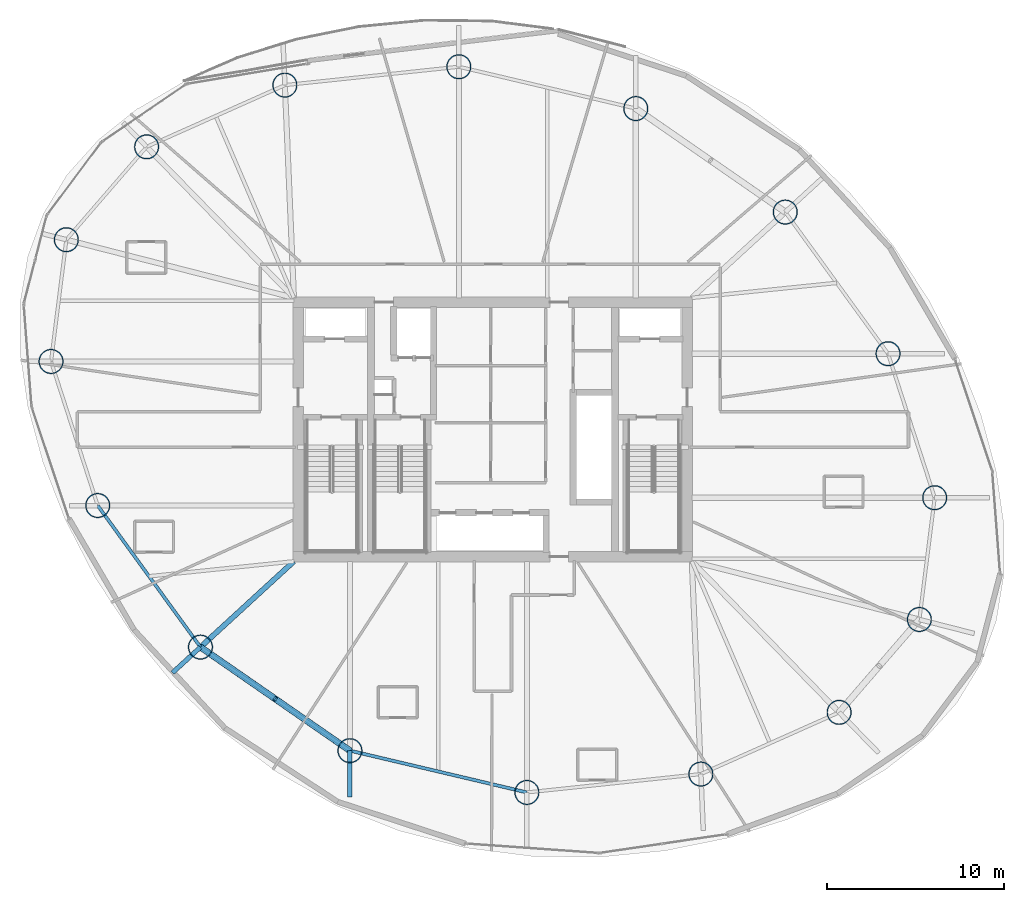
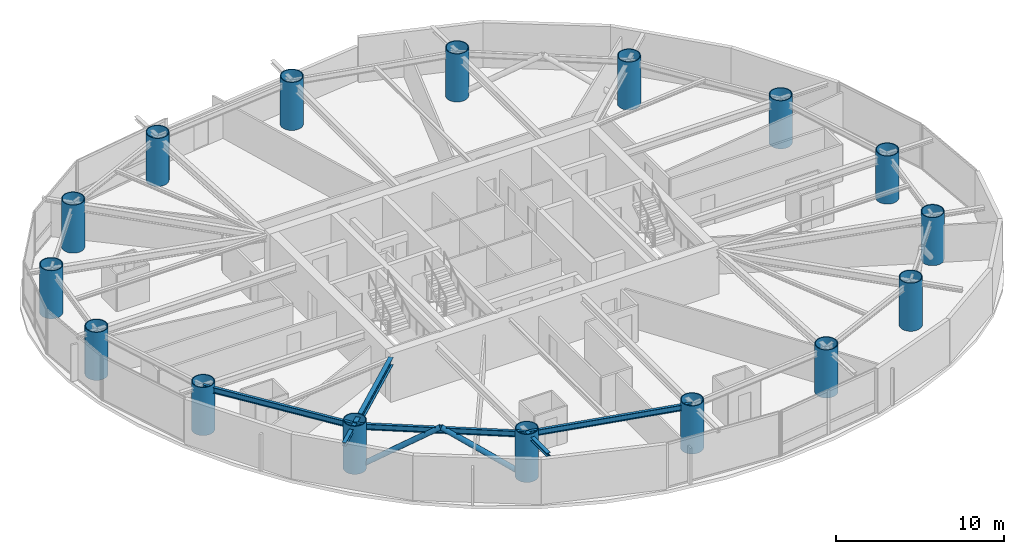
# One storey, part 1 of 22: 16 columns, 6 beams, 2 members.
"""IFC4 building model written with IfcOpenShell, lengths in metres."""

import ifcopenshell
import ifcopenshell.guid

model = None  # the IFC model being written
_history = None  # IfcOwnerHistory: only IFC2X3 demands one
_inside = {}  # id of a spatial element -> (the spatial element, [elements in it])
_under = {}  # id of a project, library or spatial element -> (it, [spatial elements below it])
_declared = {}  # id of a project -> (the project, [libraries it declares])
_typed = {}  # id of a type object -> (the type object, [elements of that type])
_made_of = {}  # id of a material, layer set ... -> (it, [elements and type objects made of it])


def new_model(schema):
    """Start an empty IFC model of exactly this schema.

    Asked for "IFC4X3", IfcOpenShell would pick the latest addendum, in which some entities
    have other attributes; the version numbers below select the first issue.
    IFC2X3 requires an IfcOwnerHistory on every rooted entity: one is made here for all.
    """
    global model, _history
    if schema == "IFC4X3":
        model = ifcopenshell.file(schema_version=(4, 3, 0, 0))
    else:
        model = ifcopenshell.file(schema=schema)
    _inside.clear()
    _under.clear()
    _declared.clear()
    _typed.clear()
    _made_of.clear()
    _history = None
    if model.schema == "IFC2X3":
        org = make("IfcOrganization", Name="unknown")
        user = make(
            "IfcPersonAndOrganization",
            ThePerson=make("IfcPerson", FamilyName="unknown"),
            TheOrganization=org,
        )
        app = make(
            "IfcApplication",
            ApplicationDeveloper=org,
            Version="unknown",
            ApplicationFullName="unknown",
            ApplicationIdentifier="unknown",
        )
        _history = make(
            "IfcOwnerHistory",
            OwningUser=user,
            OwningApplication=app,
            ChangeAction="ADDED",
            CreationDate=0,
        )
    return model


def make(cls, **values):
    """One entity of the class cls with the attributes given. An attribute that is None is left unset."""
    return model.create_entity(
        cls, **{name: value for name, value in values.items() if value is not None}
    )


def rooted(cls, **values):
    """An entity with a GlobalId (a new one), such as an element, a storey or a relation."""
    return make(cls, GlobalId=ifcopenshell.guid.new(), OwnerHistory=_history, **values)


def si_unit(unit_type, name, prefix=None):
    """IfcSIUnit, for example si_unit("LENGTHUNIT", "METRE", prefix="MILLI")."""
    return make("IfcSIUnit", UnitType=unit_type, Prefix=prefix, Name=name)


def assignment(units):
    """IfcUnitAssignment: the units of a project."""
    return None if units is None else make("IfcUnitAssignment", Units=units)


def point(xyz):
    """IfcCartesianPoint."""
    return None if xyz is None else make("IfcCartesianPoint", Coordinates=xyz)


def direction(xyz):
    """IfcDirection."""
    return None if xyz is None else make("IfcDirection", DirectionRatios=xyz)


def frame(location, z_axis=None, x_axis=None):
    """IfcAxis2Placement3D, a coordinate frame: its origin and axes. An axis left out is left unset."""
    return make(
        "IfcAxis2Placement3D",
        Location=point(location),
        Axis=direction(z_axis),
        RefDirection=direction(x_axis),
    )


def frame_2d(location, x_axis=None):
    """IfcAxis2Placement2D, a coordinate frame in the plane: its origin and x axis."""
    return make(
        "IfcAxis2Placement2D", Location=point(location), RefDirection=direction(x_axis)
    )


def origin():
    """The frame at (0, 0, 0) with its axes left unset."""
    return frame((0.0, 0.0, 0.0))


def origin_2d():
    """The frame at (0, 0) in the plane with its x axis left unset."""
    return frame_2d((0.0, 0.0))


def place(relative_to, where):
    """IfcLocalPlacement: puts the frame where relative to a parent placement (None: the world)."""
    return make(
        "IfcLocalPlacement", PlacementRelTo=relative_to, RelativePlacement=where
    )


def context(
    kind, dimensions, precision=None, world=None, true_north=None, identifier=None
):
    """IfcGeometricRepresentationContext, for example the 3D "Model" context."""
    return make(
        "IfcGeometricRepresentationContext",
        ContextIdentifier=identifier,
        ContextType=kind,
        CoordinateSpaceDimension=dimensions,
        Precision=precision,
        WorldCoordinateSystem=world,
        TrueNorth=true_north,
    )


def subcontext(parent, identifier, kind, view, scale=None):
    """IfcGeometricRepresentationSubContext, for example "Body" below "Model"."""
    return make(
        "IfcGeometricRepresentationSubContext",
        ContextIdentifier=identifier,
        ContextType=kind,
        ParentContext=parent,
        TargetScale=scale,
        TargetView=view,
    )


def project(units=None, contexts=None):
    """IfcProject with its units and contexts."""
    return rooted(
        "IfcProject",
        Name="project",
        RepresentationContexts=contexts,
        UnitsInContext=assignment(units),
    )


def spatial(cls, under=None, at=None, **own):
    """A site, building, storey or space (cls), placed at a placement, below another one or the project."""
    s = rooted(cls, ObjectPlacement=at, **own)
    if under is not None:
        _under.setdefault(under.id(), (under, []))[1].append(s)
    return s


def profile(cls, at=None, kind="AREA", **sizes):
    """A parametric profile (cls). Its sizes go by their IFC names, for example OverallWidth=200.0."""
    return make(cls, ProfileType=kind, Position=at, **sizes)


def hollow_circle(**sizes):
    """IfcCircleHollowProfileDef."""
    return profile("IfcCircleHollowProfileDef", **sizes)


def i_section(**sizes):
    """IfcIShapeProfileDef."""
    return profile("IfcIShapeProfileDef", **sizes)


def extrude(swept, where, along, depth):
    """IfcExtrudedAreaSolid: the profile swept, set in the frame where, extruded along a direction by depth."""
    return make(
        "IfcExtrudedAreaSolid",
        SweptArea=swept,
        Position=where,
        ExtrudedDirection=direction(along),
        Depth=depth,
    )


def shape(context_of_items, identifier, shape_type, items):
    """IfcShapeRepresentation: the items that make up one representation, for example the "Body"."""
    return make(
        "IfcShapeRepresentation",
        ContextOfItems=context_of_items,
        RepresentationIdentifier=identifier,
        RepresentationType=shape_type,
        Items=items,
    )


def material(Name=None, Category=None):
    """IfcMaterial."""
    return make("IfcMaterial", Name=Name, Category=Category)


def material_profile(
    of_material, cross_section, Name=None, Category=None, Priority=None
):
    """IfcMaterialProfile: a cross section and its material."""
    return make(
        "IfcMaterialProfile",
        Name=Name,
        Material=of_material,
        Profile=cross_section,
        Priority=Priority,
        Category=Category,
    )


def profile_set(profiles, Name=None, composite=None):
    """IfcMaterialProfileSet."""
    return make(
        "IfcMaterialProfileSet",
        Name=Name,
        MaterialProfiles=profiles,
        CompositeProfile=composite,
    )


def made_of(thing, what):
    """Note that an element or type object is made of a material, layer set ...; save() writes the relation."""
    if what is not None:
        _made_of.setdefault(what.id(), (what, []))[1].append(thing)
    return thing


def type_object(cls, material=None, **own):
    """A type object (cls), such as IfcWallType, which elements share."""
    return made_of(rooted(cls, **own), material)


def element(
    cls,
    number,
    at=None,
    inside=None,
    cuts=None,
    type_object=None,
    material=None,
    context=None,
    identifier="Body",
    shape_type=None,
    held_by="IfcProductDefinitionShape",
    body=None,
    shapes=None,
    **own,
):
    """One element of the class cls, such as IfcWall. Its Tag is "e" and its number.

    at: its placement. inside: the storey or other place that contains it. cuts: it is an
    opening in that element (IfcRelVoidsElement). A single representation is given by context,
    identifier, shape_type and body (its items); several are given by shapes. held_by: the class
    of the entity that holds the representations. save() writes the other relations.
    """
    e = rooted(cls, Tag="e%d" % number, ObjectPlacement=at, **own)
    if body is not None:
        shapes = [shape(context, identifier, shape_type, body)]
    if shapes is not None:
        e.Representation = make(held_by, Representations=shapes)
    if inside is not None:
        _inside.setdefault(inside.id(), (inside, []))[1].append(e)
    if cuts is not None:
        rooted(
            "IfcRelVoidsElement", RelatingBuildingElement=cuts, RelatedOpeningElement=e
        )
    if type_object is not None:
        _typed.setdefault(type_object.id(), (type_object, []))[1].append(e)
    return made_of(e, material)


def aggregate(whole, parts):
    """IfcRelAggregates: a whole, such as a stair, and the parts it consists of."""
    return rooted("IfcRelAggregates", RelatingObject=whole, RelatedObjects=parts)


def save(model, path):
    """Write the relations noted so far, then the file.

    IfcRelAggregates (storeys below a building ...), IfcRelContainedInSpatialStructure (elements
    in a storey), IfcRelDefinesByType, IfcRelAssociatesMaterial and IfcRelDeclares: one each for
    every whole, place, type object, material and project.
    """
    for whole, parts in _under.values():
        aggregate(whole, parts)
    for where, things in _inside.values():
        rooted(
            "IfcRelContainedInSpatialStructure",
            RelatedElements=things,
            RelatingStructure=where,
        )
    for kind, things in _typed.values():
        rooted("IfcRelDefinesByType", RelatedObjects=things, RelatingType=kind)
    for what, things in _made_of.values():
        rooted("IfcRelAssociatesMaterial", RelatedObjects=things, RelatingMaterial=what)
    for by, libraries in _declared.values():
        rooted("IfcRelDeclares", RelatingContext=by, RelatedDefinitions=libraries)
    model.write(path)


model = new_model("IFC4")

# Units and contexts
model_context = context("Model", 3, precision=1e-05, world=origin(), true_north=direction((0.0, 1.0)))
body_context = subcontext(model_context, "Body", "Model", "MODEL_VIEW")
ifc_project = project(units=[si_unit("LENGTHUNIT", "METRE"), si_unit("AREAUNIT", "SQUARE_METRE"), si_unit("VOLUMEUNIT", "CUBIC_METRE"), si_unit("PLANEANGLEUNIT", "RADIAN"), si_unit("MASSUNIT", "GRAM", prefix="KILO")], contexts=[model_context])

# Site, building, storey
site_placement = place(None, origin())
site = spatial("IfcSite", under=ifc_project, at=site_placement, CompositionType="ELEMENT")
building_placement = place(site_placement, origin())
building = spatial("IfcBuilding", under=site, at=building_placement, Name="Bramvorn Convention Spire", CompositionType="ELEMENT")
storey_placement = place(building_placement, frame((0.0, 0.0, 134.300048828125)))
storey = spatial("IfcBuildingStorey", under=building, at=storey_placement, Name="L33", CompositionType="ELEMENT", Elevation=134.300048828125)

# Columns
ifc_material = material(Name="Steel CSA G40.21 Grade 350 (350W)", Category="steel")
ifc_material_profile_1 = material_profile(ifc_material, hollow_circle(Radius=0.699951171875, WallThickness=0.054931640625, at=origin_2d()))
ifc_profile_set_1 = profile_set([ifc_material_profile_1], Name="Steel CSA G40.21 Grade 350 (350W) - CFT1400X55")
column_type = type_object("IfcColumnType", Name="COL-CFT1400X55", PredefinedType="COLUMN", material=ifc_profile_set_1)
for number, where, z_axis, x_axis, name in (
    (1, (62.11767578125, 15.26220703125, 0.0), (0.0, 0.0, 1.0), (1.0, 0.0, 0.0), "L33 composite CFT mega-column MC01"),
    (2, (62.983642578125, 22.148193359375, 0.0), (0.0, 0.0, 1.0), (1.0, 0.0, 0.0), "L33 composite CFT mega-column MC02"),
    (3, (60.345703125, 30.293212890625, 0.0), (0.0, 0.0, 1.0), (1.0, 0.0, 0.0), "L33 composite CFT mega-column MC03"),
    (4, (54.534912109375, 38.299072265625, 0.0), (0.0, 0.0, 1.0), (1.0, 0.0, 0.0), "L33 composite CFT mega-column MC04"),
    (5, (46.082763671875, 44.154052734375, 0.0), (0.0, 0.0, 1.0), (1.0, 0.0, 0.0), "L33 composite CFT mega-column MC05"),
    (6, (36.075927734375, 46.517333984375, 0.0), (0.0, 0.0, 1.0), (1.0, 0.0, 0.0), "L33 composite CFT mega-column MC06"),
    (7, (26.23828125, 45.478759765625, 0.0), (0.0, 0.0, 1.0), (1.0, 0.0, 0.0), "L33 composite CFT mega-column MC07"),
    (8, (18.420166015625, 41.9892578125, 0.0), (0.0, 0.0, 1.0), (1.0, 0.0, 0.0), "L33 composite CFT mega-column MC08"),
    (9, (13.88232421875, 36.73779296875, 0.0), (0.0, 0.0, 1.0), (1.0, 0.0, 0.0), "L33 composite CFT mega-column MC09"),
    (10, (13.016357421875, 29.851806640625, 0.0), (0.0, 0.0, 1.0), (1.0, 0.0, 0.0), "L33 composite CFT mega-column MC10"),
    (11, (15.654296875, 21.706787109375, 0.0), (0.0, 0.0, 1.0), (1.0, 0.0, 0.0), "L33 composite CFT mega-column MC11"),
    (12, (21.465087890625, 13.700927734375, 0.0), (0.0, 0.0, 1.0), (1.0, 0.0, 0.0), "L33 composite CFT mega-column MC12"),
    (13, (29.917236328125, 7.845947265625, 0.0), (0.0, 0.0, 1.0), (1.0, 0.0, 0.0), "L33 composite CFT mega-column MC13"),
    (14, (39.924072265625, 5.482666015625, 0.0), (0.0, 0.0, 1.0), (1.0, 0.0, 0.0), "L33 composite CFT mega-column MC14"),
    (15, (49.76171875, 6.521240234375, 0.0), (0.0, 0.0, 1.0), (1.0, 0.0, 0.0), "L33 composite CFT mega-column MC15"),
    (16, (57.579833984375, 10.0107421875, 0.0), (0.0, 0.0, 1.0), (1.0, 0.0, 0.0), "L33 composite CFT mega-column MC16"),
):
    element("IfcColumn", number, at=place(storey_placement, frame(where, z_axis=z_axis, x_axis=x_axis)), inside=storey, type_object=column_type, Name=name, PredefinedType="COLUMN", context=body_context, shape_type="SweptSolid", body=[
        extrude(hollow_circle(Radius=0.699951171875, WallThickness=0.054931640625, at=origin_2d()), origin(), (0.0, 0.0, 1.0), 3.5),
    ])

# Beams
ifc_material_profile_2 = material_profile(ifc_material, i_section(OverallWidth=0.25390625, OverallDepth=0.2529296875, WebThickness=0.008544921875, FlangeThickness=0.01416015625, FilletRadius=0.011962890625, at=origin_2d()))
ifc_profile_set_2 = profile_set([ifc_material_profile_2], Name="Steel CSA G40.21 Grade 350 (350W) - W250X73")
beam_type_1 = type_object("IfcBeamType", Name="BM-W250X73", PredefinedType="BEAM", material=ifc_profile_set_2)
beam_1_placement = place(storey_placement, frame((21.465087890625, 13.700927734375, 3.133544921875), z_axis=(-0.736822941708, -0.676085758298, 0.0), x_axis=(0.676085758298, -0.736822941708, 0.0)))
element("IfcBeam", 17, at=beam_1_placement, inside=storey, type_object=beam_type_1, Name="L33 slab-edge cantilever tip beam MC12", PredefinedType="BEAM", context=body_context, shape_type="SweptSolid", body=[
    extrude(i_section(OverallWidth=0.25390625, OverallDepth=0.2529296875, WebThickness=0.008544921875, FlangeThickness=0.01416015625, FilletRadius=0.011962890625, at=origin_2d()), origin(), (0.0, 0.0, 1.0), 2.142578125),
])
beam_2_placement = place(storey_placement, frame((29.917236328125, 7.845947265625, 3.133544921875), z_axis=(0.0, -1.0, 0.0), x_axis=(1.0, 0.0, 0.0)))
element("IfcBeam", 18, at=beam_2_placement, inside=storey, type_object=beam_type_1, Name="L33 slab-edge cantilever tip beam MC13", PredefinedType="BEAM", context=body_context, shape_type="SweptSolid", body=[
    extrude(i_section(OverallWidth=0.25390625, OverallDepth=0.2529296875, WebThickness=0.008544921875, FlangeThickness=0.01416015625, FilletRadius=0.011962890625, at=origin_2d()), origin(), (0.0, 0.0, 1.0), 2.6142578125),
])
ifc_material_profile_3 = material_profile(ifc_material, i_section(OverallWidth=0.180908203125, OverallDepth=0.4169921875, WebThickness=0.010986328125, FlangeThickness=0.018310546875, FilletRadius=0.01611328125, at=origin_2d()))
ifc_profile_set_3 = profile_set([ifc_material_profile_3], Name="Steel CSA G40.21 Grade 350 (350W) - W410X85")
beam_type_2 = type_object("IfcBeamType", Name="BM-W410X85", PredefinedType="JOIST", material=ifc_profile_set_3)
beam_3_placement = place(storey_placement, frame((15.654296875, 21.706787109375, 3.051513671875), z_axis=(0.587401024629, -0.809296012757, 0.0), x_axis=(0.809296012757, 0.587401024629, 0.0)))
element("IfcBeam", 19, at=beam_3_placement, inside=storey, type_object=beam_type_2, Name="L33 mega-column ring beam 11", PredefinedType="JOIST", context=body_context, shape_type="SweptSolid", body=[
    extrude(i_section(OverallWidth=0.180908203125, OverallDepth=0.4169921875, WebThickness=0.010986328125, FlangeThickness=0.018310546875, FilletRadius=0.01611328125, at=origin_2d()), origin(), (0.0, 0.0, 1.0), 9.892333984375),
])
beam_4_placement = place(storey_placement, frame((21.465087890625, 13.700927734375, 3.051513671875), z_axis=(0.822033166673, -0.569439613032, 0.0), x_axis=(0.569439613032, 0.822033166673, 0.0)))
element("IfcBeam", 20, at=beam_4_placement, inside=storey, type_object=beam_type_2, Name="L33 mega-column ring beam 12", PredefinedType="JOIST", context=body_context, shape_type="SweptSolid", body=[
    extrude(i_section(OverallWidth=0.180908203125, OverallDepth=0.4169921875, WebThickness=0.010986328125, FlangeThickness=0.018310546875, FilletRadius=0.01611328125, at=origin_2d()), origin(), (0.0, 0.0, 1.0), 10.281982421875),
])
beam_5_placement = place(storey_placement, frame((29.917236328125, 7.845947265625, 3.051513671875), z_axis=(0.97322750491, -0.229843911572, 0.0), x_axis=(0.229843911572, 0.97322750491, 0.0)))
element("IfcBeam", 21, at=beam_5_placement, inside=storey, type_object=beam_type_2, Name="L33 mega-column ring beam 13", PredefinedType="JOIST", context=body_context, shape_type="SweptSolid", body=[
    extrude(i_section(OverallWidth=0.180908203125, OverallDepth=0.4169921875, WebThickness=0.010986328125, FlangeThickness=0.018310546875, FilletRadius=0.01611328125, at=origin_2d()), origin(), (0.0, 0.0, 1.0), 10.2822265625),
])
ifc_material_profile_4 = material_profile(ifc_material, i_section(OverallWidth=0.2919921875, OverallDepth=0.551025390625, WebThickness=0.01513671875, FlangeThickness=0.0244140625, FilletRadius=0.01904296875, at=origin_2d()))
ifc_profile_set_4 = profile_set([ifc_material_profile_4], Name="Steel CSA G40.21 Grade 350 (350W) - W530X182")
beam_type_3 = type_object("IfcBeamType", Name="BM-W530X182", PredefinedType="BEAM", material=ifc_profile_set_4)
beam_6_placement = place(storey_placement, frame((26.75, 18.550048828125, 2.984375), z_axis=(-0.736833323746, -0.676074443399, 0.0), x_axis=(0.676074443399, -0.736833323746, 0.0)))
element("IfcBeam", 22, at=beam_6_placement, inside=storey, type_object=beam_type_3, Name="L33 radial floor girder MC12", PredefinedType="BEAM", context=body_context, shape_type="SweptSolid", body=[
    extrude(i_section(OverallWidth=0.2919921875, OverallDepth=0.551025390625, WebThickness=0.01513671875, FlangeThickness=0.0244140625, FilletRadius=0.01904296875, at=origin_2d()), origin(), (0.0, 0.0, 1.0), 7.17236328125),
])

# Members
ifc_material_profile_5 = material_profile(ifc_material, hollow_circle(Radius=0.177734375, WallThickness=0.015869140625, at=origin_2d()))
ifc_profile_set_5 = profile_set([ifc_material_profile_5], Name="Steel CSA G40.21 Grade 350 (350W) - CHS356X16")
member_type = type_object("IfcMemberType", Name="MBR-CHS356X16", PredefinedType="BRACE", material=ifc_profile_set_5)
for number, where, z_axis, x_axis, name in (
    (23, (21.465087890625, 13.700927734375, 0.0), (0.694222482493, -0.480902471841, 0.535525869944), (0.569439613032, 0.822033166673, 0.0), "L33 perimeter Gothic lancet brace 12A"),
    (24, (29.917236328125, 7.845947265625, 0.0), (-0.694222482493, 0.480902471841, 0.535525869944), (-0.569439613032, -0.822033166673, 0.0), "L33 perimeter Gothic lancet brace 12B"),
):
    element("IfcMember", number, at=place(storey_placement, frame(where, z_axis=z_axis, x_axis=x_axis)), inside=storey, type_object=member_type, Name=name, PredefinedType="BRACE", context=body_context, shape_type="SweptSolid", body=[
        extrude(hollow_circle(Radius=0.177734375, WallThickness=0.015869140625, at=origin_2d()), origin(), (0.0, 0.0, 1.0), 6.08740234375),
    ])

save(model, "model.ifc")
